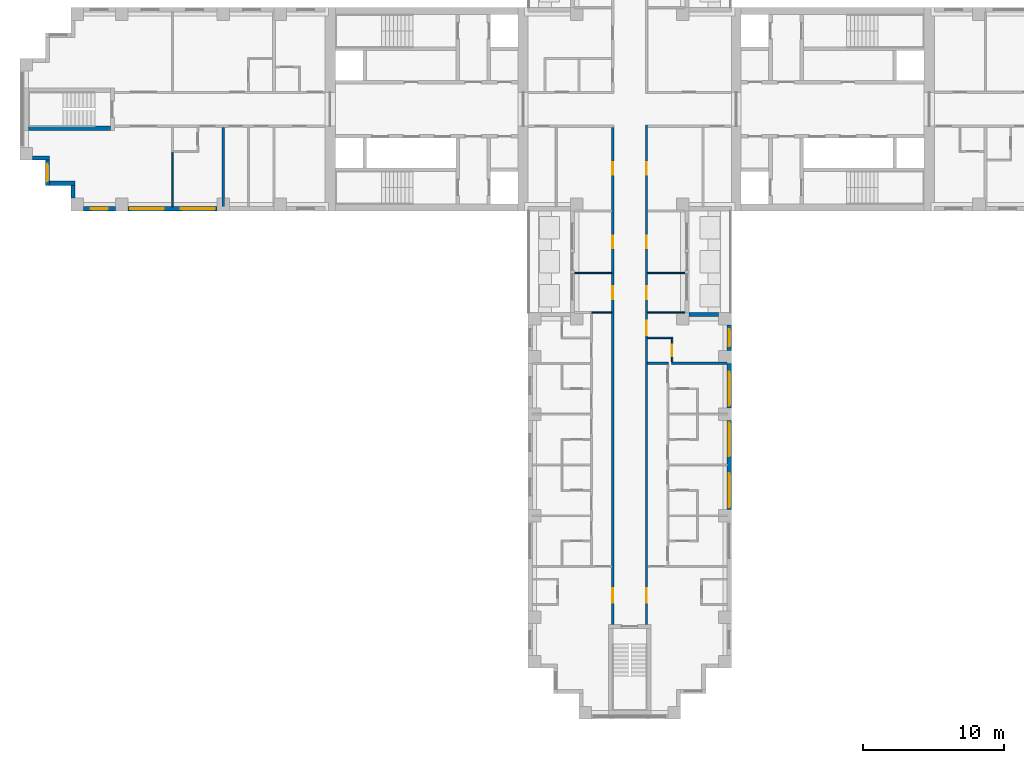
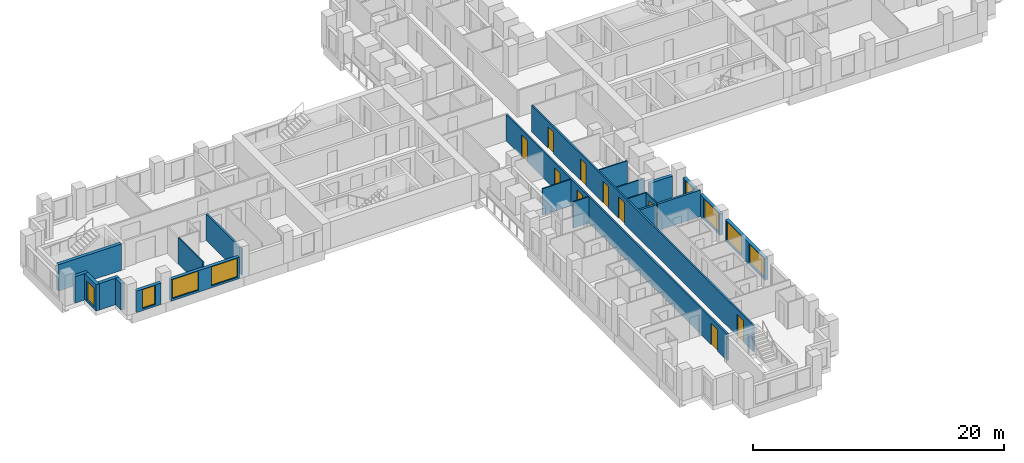
# One storey, part 5 of 14: 23 walls, 10 doors, 8 windows, 18 openings.
"""IFC4 building model written with IfcOpenShell, lengths in metres."""

from ifc_helpers import new_model, si_unit, direction, frame, frame_2d, origin, place, context, subcontext, project, spatial, rectangle, extrude, material, layer, layer_set, type_object, element, fill, save


model = new_model("IFC4")

# Units and contexts
model_context = context("Model", 3, precision=1e-05, world=origin(), true_north=direction((0.0, 1.0)))
body_context = subcontext(model_context, "Body", "Model", "MODEL_VIEW")
ifc_project = project(units=[si_unit("LENGTHUNIT", "METRE"), si_unit("AREAUNIT", "SQUARE_METRE"), si_unit("VOLUMEUNIT", "CUBIC_METRE"), si_unit("PLANEANGLEUNIT", "RADIAN"), si_unit("MASSUNIT", "GRAM", prefix="KILO")], contexts=[model_context])

# Site, building, storey
site_placement = place(None, origin())
site = spatial("IfcSite", under=ifc_project, at=site_placement, CompositionType="ELEMENT")
building_placement = place(site_placement, origin())
building = spatial("IfcBuilding", under=site, at=building_placement, Name="Fustian Cross Tower", CompositionType="ELEMENT")
storey_placement = place(building_placement, frame((0.0, 0.0, 69.89990234375)))
storey = spatial("IfcBuildingStorey", under=building, at=storey_placement, Name="L21", CompositionType="ELEMENT", Elevation=69.89990234375)

# Wall
ifc_material_1 = material(Name="Plasterboard on steel stud", Category="steel")
ifc_layer_1 = layer(ifc_material_1, 0.14990234375)
ifc_layer_set_1 = layer_set([ifc_layer_1], Name="Plasterboard on steel stud")
wall_type_1 = type_object("IfcWallType", Name="COMPARTMENT WALL 150 EI 60", PredefinedType="PARTITIONING", material=ifc_layer_set_1)
wall_1_placement = place(storey_placement, frame((-28.800048828125, -6.89990234375, 0.0), z_axis=(0.0, 0.0, 1.0), x_axis=(0.0, 1.0, 0.0)))
element("IfcWall", 1, at=wall_1_placement, inside=storey, type_object=wall_type_1, Name="Partition 8", PredefinedType="PARTITIONING", context=body_context, shape_type="SweptSolid", body=[
    extrude(rectangle(XDim=5.625, YDim=0.14990234375, at=frame_2d((2.8125, 0.0))), origin(), (0.0, 0.0, 1.0), 2.5751953125),
])

# Wall, openings, doors
wall_2_placement = place(storey_placement, frame((-1.199951171875, -36.5, 0.0), z_axis=(0.0, 0.0, 1.0), x_axis=(0.0, 1.0, 0.0)))
wall_2 = element("IfcWall", 2, at=wall_2_placement, inside=storey, type_object=wall_type_1, Name="Partition 49", PredefinedType="PARTITIONING", context=body_context, shape_type="SweptSolid", body=[
    extrude(rectangle(XDim=35.22509765625, YDim=0.14990234375, at=frame_2d((17.612548828125, 0.0))), origin(), (0.0, 0.0, 1.0), 2.5751953125),
])
opening_1_placement = place(wall_2_placement, frame((31.85009765625, 0.0, 0.0)))
opening_1 = element("IfcOpeningElement", 3, at=opening_1_placement, cuts=wall_2, Name="Opening D11007", PredefinedType="OPENING", context=body_context, shape_type="SweptSolid", body=[
    extrude(rectangle(XDim=0.89990234375, YDim=2.10009765625, at=frame_2d((0.449951171875, 1.050048828125))), frame((0.0, 0.0849609375, 0.0), z_axis=(0.0, -1.0, 0.0), x_axis=(1.0, 0.0, 0.0)), (0.0, 0.0, 1.0), 0.169921875),
])
opening_2_placement = place(wall_2_placement, frame((23.050048828125, 0.0, 0.0)))
opening_2 = element("IfcOpeningElement", 4, at=opening_2_placement, cuts=wall_2, Name="Opening D11051", PredefinedType="OPENING", context=body_context, shape_type="SweptSolid", body=[
    extrude(rectangle(XDim=0.89990234375, YDim=2.10009765625, at=frame_2d((0.449951171875, 1.050048828125))), frame((0.0, 0.0849609375, 0.0), z_axis=(0.0, -1.0, 0.0), x_axis=(1.0, 0.0, 0.0)), (0.0, 0.0, 1.0), 0.169921875),
])
opening_3_placement = place(wall_2_placement, frame((26.64990234375, 0.0, 0.0)))
opening_3 = element("IfcOpeningElement", 5, at=opening_3_placement, cuts=wall_2, Name="Opening D11052", PredefinedType="OPENING", context=body_context, shape_type="SweptSolid", body=[
    extrude(rectangle(XDim=0.89990234375, YDim=2.10009765625, at=frame_2d((0.449951171875, 1.050048828125))), frame((0.0, 0.0849609375, 0.0), z_axis=(0.0, -1.0, 0.0), x_axis=(1.0, 0.0, 0.0)), (0.0, 0.0, 1.0), 0.169921875),
])
opening_4_placement = place(wall_2_placement, frame((1.550048828125, 0.0, 0.0)))
opening_4 = element("IfcOpeningElement", 6, at=opening_4_placement, cuts=wall_2, Name="Opening D11054", PredefinedType="OPENING", context=body_context, shape_type="SweptSolid", body=[
    extrude(rectangle(XDim=1.0, YDim=2.10009765625, at=frame_2d((0.5, 1.050048828125))), frame((0.0, 0.0849609375, 0.0), z_axis=(0.0, -1.0, 0.0), x_axis=(1.0, 0.0, 0.0)), (0.0, 0.0, 1.0), 0.169921875),
])
ifc_material_2 = material(Name="Timber fire door set", Category="wood")
door_type_1 = type_object("IfcDoorType", Name="FIRE SWING DOOR 1000 FD30S", OperationType="SINGLE_SWING_LEFT", PredefinedType="DOOR", material=ifc_material_2)
door_1_placement = place(opening_4_placement, origin())
door_1 = element("IfcDoor", 7, at=door_1_placement, inside=storey, type_object=door_type_1, Name="Door D11054", OperationType="SINGLE_SWING_RIGHT", OverallHeight=2.10009765625, OverallWidth=1.0, PredefinedType="DOOR", context=body_context, shape_type="SweptSolid", body=[
    extrude(rectangle(XDim=1.0, YDim=2.10009765625, at=frame_2d((0.5, 1.050048828125))), frame((0.0, 0.02490234375, 0.0), z_axis=(0.0, -1.0, 0.0), x_axis=(1.0, 0.0, 0.0)), (0.0, 0.0, 1.0), 0.050048828125),
])
fill(opening_4, door_1)
ifc_material_3 = material(Name="Timber fire door set", Category="wood")
door_type_2 = type_object("IfcDoorType", Name="FIRE SWING DOOR 900 FD30S", OperationType="SINGLE_SWING_LEFT", PredefinedType="DOOR", material=ifc_material_3)
door_2_placement = place(opening_1_placement, origin())
door_2 = element("IfcDoor", 8, at=door_2_placement, inside=storey, type_object=door_type_2, Name="Door D11007", OperationType="SINGLE_SWING_LEFT", OverallHeight=2.10009765625, OverallWidth=0.89990234375, PredefinedType="DOOR", context=body_context, shape_type="SweptSolid", body=[
    extrude(rectangle(XDim=0.89990234375, YDim=2.10009765625, at=frame_2d((0.449951171875, 1.050048828125))), frame((0.0, 0.02490234375, 0.0), z_axis=(0.0, -1.0, 0.0), x_axis=(1.0, 0.0, 0.0)), (0.0, 0.0, 1.0), 0.050048828125),
])
fill(opening_1, door_2)
door_3_placement = place(opening_2_placement, origin())
door_3 = element("IfcDoor", 9, at=door_3_placement, inside=storey, type_object=door_type_2, Name="Door D11051", OperationType="SINGLE_SWING_LEFT", OverallHeight=2.10009765625, OverallWidth=0.89990234375, PredefinedType="DOOR", context=body_context, shape_type="SweptSolid", body=[
    extrude(rectangle(XDim=0.89990234375, YDim=2.10009765625, at=frame_2d((0.449951171875, 1.050048828125))), frame((0.0, 0.02490234375, 0.0), z_axis=(0.0, -1.0, 0.0), x_axis=(1.0, 0.0, 0.0)), (0.0, 0.0, 1.0), 0.050048828125),
])
fill(opening_2, door_3)
door_4_placement = place(opening_3_placement, origin())
door_4 = element("IfcDoor", 10, at=door_4_placement, inside=storey, type_object=door_type_2, Name="Door D11052", OperationType="SINGLE_SWING_LEFT", OverallHeight=2.10009765625, OverallWidth=0.89990234375, PredefinedType="DOOR", context=body_context, shape_type="SweptSolid", body=[
    extrude(rectangle(XDim=0.89990234375, YDim=2.10009765625, at=frame_2d((0.449951171875, 1.050048828125))), frame((0.0, 0.02490234375, 0.0), z_axis=(0.0, -1.0, 0.0), x_axis=(1.0, 0.0, 0.0)), (0.0, 0.0, 1.0), 0.050048828125),
])
fill(opening_3, door_4)

wall_3_placement = place(storey_placement, frame((1.199951171875, -36.5, 0.0), z_axis=(0.0, 0.0, 1.0), x_axis=(0.0, 1.0, 0.0)))
wall_3 = element("IfcWall", 11, at=wall_3_placement, inside=storey, type_object=wall_type_1, Name="Partition 52", PredefinedType="PARTITIONING", context=body_context, shape_type="SweptSolid", body=[
    extrude(rectangle(XDim=35.375, YDim=0.14990234375, at=frame_2d((17.6875, 0.0))), origin(), (0.0, 0.0, 1.0), 2.5751953125),
])
opening_5_placement = place(wall_3_placement, frame((31.85009765625, 0.0, 0.0)))
opening_5 = element("IfcOpeningElement", 12, at=opening_5_placement, cuts=wall_3, Name="Opening D11005", PredefinedType="OPENING", context=body_context, shape_type="SweptSolid", body=[
    extrude(rectangle(XDim=0.89990234375, YDim=2.10009765625, at=frame_2d((0.449951171875, 1.050048828125))), frame((0.0, 0.0849609375, 0.0), z_axis=(0.0, -1.0, 0.0), x_axis=(1.0, 0.0, 0.0)), (0.0, 0.0, 1.0), 0.169921875),
])
opening_6_placement = place(wall_3_placement, frame((23.050048828125, 0.0, 0.0)))
opening_6 = element("IfcOpeningElement", 13, at=opening_6_placement, cuts=wall_3, Name="Opening D11036", PredefinedType="OPENING", context=body_context, shape_type="SweptSolid", body=[
    extrude(rectangle(XDim=0.89990234375, YDim=2.10009765625, at=frame_2d((0.449951171875, 1.050048828125))), frame((0.0, 0.0849609375, 0.0), z_axis=(0.0, -1.0, 0.0), x_axis=(1.0, 0.0, 0.0)), (0.0, 0.0, 1.0), 0.169921875),
])
opening_7_placement = place(wall_3_placement, frame((26.64990234375, 0.0, 0.0)))
opening_7 = element("IfcOpeningElement", 14, at=opening_7_placement, cuts=wall_3, Name="Opening D11037", PredefinedType="OPENING", context=body_context, shape_type="SweptSolid", body=[
    extrude(rectangle(XDim=0.89990234375, YDim=2.10009765625, at=frame_2d((0.449951171875, 1.050048828125))), frame((0.0, 0.0849609375, 0.0), z_axis=(0.0, -1.0, 0.0), x_axis=(1.0, 0.0, 0.0)), (0.0, 0.0, 1.0), 0.169921875),
])
opening_8_placement = place(wall_3_placement, frame((20.5, 0.0, 0.0)))
opening_8 = element("IfcOpeningElement", 15, at=opening_8_placement, cuts=wall_3, Name="Opening D11039", PredefinedType="OPENING", context=body_context, shape_type="SweptSolid", body=[
    extrude(rectangle(XDim=1.0, YDim=2.10009765625, at=frame_2d((0.5, 1.050048828125))), frame((0.0, 0.0849609375, 0.0), z_axis=(0.0, -1.0, 0.0), x_axis=(1.0, 0.0, 0.0)), (0.0, 0.0, 1.0), 0.169921875),
])
opening_9_placement = place(wall_3_placement, frame((1.550048828125, 0.0, 0.0)))
opening_9 = element("IfcOpeningElement", 16, at=opening_9_placement, cuts=wall_3, Name="Opening D11041", PredefinedType="OPENING", context=body_context, shape_type="SweptSolid", body=[
    extrude(rectangle(XDim=1.0, YDim=2.10009765625, at=frame_2d((0.5, 1.050048828125))), frame((0.0, 0.0849609375, 0.0), z_axis=(0.0, -1.0, 0.0), x_axis=(1.0, 0.0, 0.0)), (0.0, 0.0, 1.0), 0.169921875),
])
door_5_placement = place(opening_8_placement, frame((1.0, 0.0, 0.0), z_axis=(0.0, 0.0, 1.0), x_axis=(-1.0, 0.0, 0.0)))
door_5 = element("IfcDoor", 17, at=door_5_placement, inside=storey, type_object=door_type_1, Name="Door D11039", OperationType="SINGLE_SWING_RIGHT", OverallHeight=2.10009765625, OverallWidth=1.0, PredefinedType="DOOR", context=body_context, shape_type="SweptSolid", body=[
    extrude(rectangle(XDim=1.0, YDim=2.10009765625, at=frame_2d((0.5, 1.050048828125))), frame((0.0, 0.02490234375, 0.0), z_axis=(0.0, -1.0, 0.0), x_axis=(1.0, 0.0, 0.0)), (0.0, 0.0, 1.0), 0.050048828125),
])
fill(opening_8, door_5)
door_6_placement = place(opening_9_placement, frame((1.0, 0.0, 0.0), z_axis=(0.0, 0.0, 1.0), x_axis=(-1.0, 0.0, 0.0)))
door_6 = element("IfcDoor", 18, at=door_6_placement, inside=storey, type_object=door_type_1, Name="Door D11041", OperationType="SINGLE_SWING_LEFT", OverallHeight=2.10009765625, OverallWidth=1.0, PredefinedType="DOOR", context=body_context, shape_type="SweptSolid", body=[
    extrude(rectangle(XDim=1.0, YDim=2.10009765625, at=frame_2d((0.5, 1.050048828125))), frame((0.0, 0.02490234375, 0.0), z_axis=(0.0, -1.0, 0.0), x_axis=(1.0, 0.0, 0.0)), (0.0, 0.0, 1.0), 0.050048828125),
])
fill(opening_9, door_6)
door_7_placement = place(opening_5_placement, frame((0.89990234375, 0.0, 0.0), z_axis=(0.0, 0.0, 1.0), x_axis=(-1.0, 0.0, 0.0)))
door_7 = element("IfcDoor", 19, at=door_7_placement, inside=storey, type_object=door_type_2, Name="Door D11005", OperationType="SINGLE_SWING_RIGHT", OverallHeight=2.10009765625, OverallWidth=0.89990234375, PredefinedType="DOOR", context=body_context, shape_type="SweptSolid", body=[
    extrude(rectangle(XDim=0.89990234375, YDim=2.10009765625, at=frame_2d((0.449951171875, 1.050048828125))), frame((0.0, 0.02490234375, 0.0), z_axis=(0.0, -1.0, 0.0), x_axis=(1.0, 0.0, 0.0)), (0.0, 0.0, 1.0), 0.050048828125),
])
fill(opening_5, door_7)
door_8_placement = place(opening_6_placement, frame((0.89990234375, 0.0, 0.0), z_axis=(0.0, 0.0, 1.0), x_axis=(-1.0, 0.0, 0.0)))
door_8 = element("IfcDoor", 20, at=door_8_placement, inside=storey, type_object=door_type_2, Name="Door D11036", OperationType="SINGLE_SWING_RIGHT", OverallHeight=2.10009765625, OverallWidth=0.89990234375, PredefinedType="DOOR", context=body_context, shape_type="SweptSolid", body=[
    extrude(rectangle(XDim=0.89990234375, YDim=2.10009765625, at=frame_2d((0.449951171875, 1.050048828125))), frame((0.0, 0.02490234375, 0.0), z_axis=(0.0, -1.0, 0.0), x_axis=(1.0, 0.0, 0.0)), (0.0, 0.0, 1.0), 0.050048828125),
])
fill(opening_6, door_8)
door_9_placement = place(opening_7_placement, frame((0.89990234375, 0.0, 0.0), z_axis=(0.0, 0.0, 1.0), x_axis=(-1.0, 0.0, 0.0)))
door_9 = element("IfcDoor", 21, at=door_9_placement, inside=storey, type_object=door_type_2, Name="Door D11037", OperationType="SINGLE_SWING_RIGHT", OverallHeight=2.10009765625, OverallWidth=0.89990234375, PredefinedType="DOOR", context=body_context, shape_type="SweptSolid", body=[
    extrude(rectangle(XDim=0.89990234375, YDim=2.10009765625, at=frame_2d((0.449951171875, 1.050048828125))), frame((0.0, 0.02490234375, 0.0), z_axis=(0.0, -1.0, 0.0), x_axis=(1.0, 0.0, 0.0)), (0.0, 0.0, 1.0), 0.050048828125),
])
fill(opening_7, door_9)

# Walls
ifc_material_4 = material(Name="Plasterboard on steel stud", Category="steel")
ifc_layer_2 = layer(ifc_material_4, 0.10009765625)
ifc_layer_set_2 = layer_set([ifc_layer_2], Name="Plasterboard on steel stud")
wall_type_2 = type_object("IfcWallType", Name="PARTITION 100 STUD", PredefinedType="PARTITIONING", material=ifc_layer_set_2)
wall_4_placement = place(storey_placement, frame((-32.39990234375, -6.89990234375, 0.0), z_axis=(0.0, 0.0, 1.0), x_axis=(0.0, 1.0, 0.0)))
element("IfcWall", 22, at=wall_4_placement, inside=storey, type_object=wall_type_2, Name="Partition 3", PredefinedType="PARTITIONING", context=body_context, shape_type="SweptSolid", body=[
    extrude(rectangle(XDim=3.89990234375, YDim=0.10009765625, at=frame_2d((1.949951171875, 0.0))), origin(), (0.0, 0.0, 1.0), 2.5751953125),
])
wall_5_placement = place(storey_placement, frame((-3.89990234375, -11.60009765625, 0.0), z_axis=(0.0, 0.0, 1.0), x_axis=(1.0, 0.0, 0.0)))
element("IfcWall", 23, at=wall_5_placement, inside=storey, type_object=wall_type_2, Name="Partition 39", PredefinedType="PARTITIONING", context=body_context, shape_type="SweptSolid", body=[
    extrude(rectangle(XDim=2.625, YDim=0.10009765625, at=frame_2d((1.3125, 0.0))), origin(), (0.0, 0.0, 1.0), 2.5751953125),
])
wall_6_placement = place(storey_placement, frame((-2.699951171875, -14.39990234375, 0.0), z_axis=(0.0, 0.0, 1.0), x_axis=(1.0, 0.0, 0.0)))
element("IfcWall", 24, at=wall_6_placement, inside=storey, type_object=wall_type_2, Name="Partition 48", PredefinedType="PARTITIONING", context=body_context, shape_type="SweptSolid", body=[
    extrude(rectangle(XDim=1.425048828125, YDim=0.10009765625, at=frame_2d((0.71240234375, 0.0))), origin(), (0.0, 0.0, 1.0), 2.5751953125),
])
wall_7_placement = place(storey_placement, frame((1.27490234375, -16.199951171875, 0.0), z_axis=(0.0, 0.0, 1.0), x_axis=(1.0, 0.0, 0.0)))
element("IfcWall", 25, at=wall_7_placement, inside=storey, type_object=wall_type_2, Name="Partition 55", PredefinedType="PARTITIONING", context=body_context, shape_type="SweptSolid", body=[
    extrude(rectangle(XDim=1.775146484375, YDim=0.10009765625, at=frame_2d((0.8876953125, 0.0))), origin(), (0.0, 0.0, 1.0), 2.5751953125),
])
for number, where, z_axis, x_axis, name in (
    (26, (1.27490234375, -14.39990234375, 0.0), (0.0, 0.0, 1.0), (1.0, 0.0, 0.0), "Partition 56"),
    (27, (1.27490234375, -11.60009765625, 0.0), (0.0, 0.0, 1.0), (1.0, 0.0, 0.0), "Partition 57"),
):
    element("IfcWall", number, at=place(storey_placement, frame(where, z_axis=z_axis, x_axis=x_axis)), inside=storey, type_object=wall_type_2, Name=name, PredefinedType="PARTITIONING", context=body_context, shape_type="SweptSolid", body=[
        extrude(rectangle(XDim=2.625, YDim=0.10009765625, at=frame_2d((1.3125, 0.0))), origin(), (0.0, 0.0, 1.0), 2.5751953125),
    ])

# Wall, opening, door
wall_8_placement = place(storey_placement, frame((3.0, -17.89990234375, 0.0), z_axis=(0.0, 0.0, 1.0), x_axis=(0.0, 1.0, 0.0)))
wall_8 = element("IfcWall", 28, at=wall_8_placement, inside=storey, type_object=wall_type_2, Name="Partition 75", PredefinedType="PARTITIONING", context=body_context, shape_type="SweptSolid", body=[
    extrude(rectangle(XDim=1.64990234375, YDim=0.10009765625, at=frame_2d((0.824951171875, 0.0))), origin(), (0.0, 0.0, 1.0), 2.5751953125),
])
opening_10_placement = place(wall_8_placement, frame((0.39990234375, 0.0, 0.0)))
opening_10 = element("IfcOpeningElement", 29, at=opening_10_placement, cuts=wall_8, Name="Opening D11038", PredefinedType="OPENING", context=body_context, shape_type="SweptSolid", body=[
    extrude(rectangle(XDim=0.800048828125, YDim=2.10009765625, at=frame_2d((0.39990234375, 1.050048828125))), frame((0.0, 0.06005859375, 0.0), z_axis=(0.0, -1.0, 0.0), x_axis=(1.0, 0.0, 0.0)), (0.0, 0.0, 1.0), 0.1201171875),
])
ifc_material_5 = material(Name="Painted timber", Category="wood")
door_type_3 = type_object("IfcDoorType", Name="SWING DOOR 800", OperationType="SINGLE_SWING_LEFT", PredefinedType="DOOR", material=ifc_material_5)
door_10_placement = place(opening_10_placement, origin())
door_10 = element("IfcDoor", 30, at=door_10_placement, inside=storey, type_object=door_type_3, Name="Door D11038", OperationType="SINGLE_SWING_RIGHT", OverallHeight=2.10009765625, OverallWidth=0.800048828125, PredefinedType="DOOR", context=body_context, shape_type="SweptSolid", body=[
    extrude(rectangle(XDim=0.800048828125, YDim=2.10009765625, at=frame_2d((0.39990234375, 1.050048828125))), frame((0.0, 0.02490234375, 0.0), z_axis=(0.0, -1.0, 0.0), x_axis=(1.0, 0.0, 0.0)), (0.0, 0.0, 1.0), 0.050048828125),
])
fill(opening_10, door_10)

# Walls
ifc_material_6 = material(Name="Plasterboard on steel stud", Category="steel")
ifc_layer_3 = layer(ifc_material_6, 0.199951171875)
ifc_layer_set_3 = layer_set([ifc_layer_3], Name="Plasterboard on steel stud")
wall_type_3 = type_object("IfcWallType", Name="PARTY WALL 200 EI 60", PredefinedType="PARTITIONING", material=ifc_layer_set_3)
wall_9_placement = place(storey_placement, frame((1.27490234375, -18.0, 0.0), z_axis=(0.0, 0.0, 1.0), x_axis=(1.0, 0.0, 0.0)))
element("IfcWall", 31, at=wall_9_placement, inside=storey, type_object=wall_type_3, Name="Partition 54", PredefinedType="PARTITIONING", context=body_context, shape_type="SweptSolid", body=[
    extrude(rectangle(XDim=1.47509765625, YDim=0.199951171875, at=frame_2d((0.737548828125, 0.0))), origin(), (0.0, 0.0, 1.0), 2.5751953125),
])
wall_10_placement = place(storey_placement, frame((2.949951171875, -18.0, 0.0), z_axis=(0.0, 0.0, 1.0), x_axis=(1.0, 0.0, 0.0)))
element("IfcWall", 32, at=wall_10_placement, inside=storey, type_object=wall_type_3, Name="Partition 76", PredefinedType="PARTITIONING", context=body_context, shape_type="SweptSolid", body=[
    extrude(rectangle(XDim=3.949951171875, YDim=0.199951171875, at=frame_2d((1.97509765625, 0.0))), origin(), (0.0, 0.0, 1.0), 2.5751953125),
])
ifc_material_7 = material(Name="Concrete C50/60", Category="concrete")
ifc_layer_4 = layer(ifc_material_7, 0.300048828125)
ifc_layer_set_4 = layer_set([ifc_layer_4], Name="Concrete C50/60")
wall_type_4 = type_object("IfcWallType", Name="STAIR ENCLOSURE WALL 300 C50/60", PredefinedType="SHEAR", material=ifc_layer_set_4)
wall_11_placement = place(storey_placement, frame((-36.800048828125, -1.35009765625, 0.0), z_axis=(0.0, 0.0, 1.0), x_axis=(-1.0, 0.0, 0.0)))
element("IfcWall", 33, at=wall_11_placement, inside=storey, type_object=wall_type_4, Name="Stair enclosure wall", PredefinedType="SHEAR", context=body_context, shape_type="SweptSolid", body=[
    extrude(rectangle(XDim=5.800048828125, YDim=0.300048828125, at=frame_2d((2.89990234375, 0.0))), origin(), (0.0, 0.0, 1.0), 2.5751953125),
])
ifc_material_8 = material(Name="Dark aluminium cladding on insulated backing wall", Category="aluminium")
ifc_layer_5 = layer(ifc_material_8, 0.300048828125)
ifc_layer_set_5 = layer_set([ifc_layer_5], Name="Dark aluminium cladding on insulated backing wall")
wall_type_5 = type_object("IfcWallType", Name="XW1 EXTERNAL WALL 300", PredefinedType="SOLIDWALL", material=ifc_layer_set_5)
wall_12_placement = place(storey_placement, frame((-42.300048828125, -3.449951171875, 0.0), z_axis=(0.0, 0.0, 1.0), x_axis=(1.0, 0.0, 0.0)))
element("IfcWall", 34, at=wall_12_placement, inside=storey, type_object=wall_type_5, Name="External wall", PredefinedType="SOLIDWALL", context=body_context, shape_type="SweptSolid", body=[
    extrude(rectangle(XDim=1.199951171875, YDim=0.300048828125, at=frame_2d((0.60009765625, 0.0))), origin(), (0.0, 0.0, 1.0), 2.5751953125),
])

# Wall, opening, window
wall_13_placement = place(storey_placement, frame((-41.25, -3.60009765625, 0.0), z_axis=(0.0, 0.0, 1.0), x_axis=(0.0, -1.0, 0.0)))
wall_13 = element("IfcWall", 35, at=wall_13_placement, inside=storey, type_object=wall_type_5, Name="External wall", PredefinedType="SOLIDWALL", context=body_context, shape_type="SweptSolid", body=[
    extrude(rectangle(XDim=1.7998046875, YDim=0.300048828125, at=frame_2d((0.89990234375, 0.0))), origin(), (0.0, 0.0, 1.0), 2.5751953125),
])
opening_11_placement = place(wall_13_placement, frame((0.300048828125, 0.0, 0.199951171875)))
opening_11 = element("IfcOpeningElement", 36, at=opening_11_placement, cuts=wall_13, Name="Opening WN3", PredefinedType="OPENING", context=body_context, shape_type="SweptSolid", body=[
    extrude(rectangle(XDim=1.199951171875, YDim=1.85009765625, at=frame_2d((0.60009765625, 0.925048828125))), frame((0.0, 0.159912109375, 0.0), z_axis=(0.0, -1.0, 0.0), x_axis=(1.0, 0.0, 0.0)), (0.0, 0.0, 1.0), 0.320068359375),
])
ifc_material_9 = material(Name="Dark anodised aluminium and double glazing", Category="aluminium")
window_type_1 = type_object("IfcWindowType", Name="WN3 WINDOW 1200X1850", PartitioningType="SINGLE_PANEL", PredefinedType="WINDOW", material=ifc_material_9)
window_1_placement = place(opening_11_placement, origin())
window_1 = element("IfcWindow", 37, at=window_1_placement, inside=storey, type_object=window_type_1, Name="Window", OverallHeight=1.85009765625, OverallWidth=1.199951171875, PartitioningType="SINGLE_PANEL", PredefinedType="WINDOW", context=body_context, shape_type="SweptSolid", body=[
    extrude(rectangle(XDim=1.199951171875, YDim=1.85009765625, at=frame_2d((0.60009765625, 0.925048828125))), frame((0.0, 0.030029296875, 0.0), z_axis=(0.0, -1.0, 0.0), x_axis=(1.0, 0.0, 0.0)), (0.0, 0.0, 1.0), 0.06005859375),
])
fill(opening_11, window_1)

# Walls
wall_14_placement = place(storey_placement, frame((-41.10009765625, -5.25, 0.0), z_axis=(0.0, 0.0, 1.0), x_axis=(1.0, 0.0, 0.0)))
element("IfcWall", 38, at=wall_14_placement, inside=storey, type_object=wall_type_5, Name="External wall", PredefinedType="SOLIDWALL", context=body_context, shape_type="SweptSolid", body=[
    extrude(rectangle(XDim=1.800048828125, YDim=0.300048828125, at=frame_2d((0.89990234375, 0.0))), origin(), (0.0, 0.0, 1.0), 2.5751953125),
])
wall_15_placement = place(storey_placement, frame((-39.449951171875, -5.39990234375, 0.0), z_axis=(0.0, 0.0, 1.0), x_axis=(0.0, -1.0, 0.0)))
element("IfcWall", 39, at=wall_15_placement, inside=storey, type_object=wall_type_5, Name="External wall", PredefinedType="SOLIDWALL", context=body_context, shape_type="SweptSolid", body=[
    extrude(rectangle(XDim=0.900146484375, YDim=0.300048828125, at=frame_2d((0.4501953125, 0.0))), origin(), (0.0, 0.0, 1.0), 2.5751953125),
])

# Wall, opening, window
wall_16_placement = place(storey_placement, frame((-38.699951171875, -7.050048828125, 0.0), z_axis=(0.0, 0.0, 1.0), x_axis=(1.0, 0.0, 0.0)))
wall_16 = element("IfcWall", 40, at=wall_16_placement, inside=storey, type_object=wall_type_5, Name="External wall", PredefinedType="SOLIDWALL", context=body_context, shape_type="SweptSolid", body=[
    extrude(rectangle(XDim=2.25, YDim=0.300048828125, at=frame_2d((1.125, 0.0))), origin(), (0.0, 0.0, 1.0), 2.10009765625),
])
opening_12_placement = place(wall_16_placement, frame((0.52490234375, 0.0, 0.199951171875)))
opening_12 = element("IfcOpeningElement", 41, at=opening_12_placement, cuts=wall_16, Name="Opening WN3", PredefinedType="OPENING", context=body_context, shape_type="SweptSolid", body=[
    extrude(rectangle(XDim=1.199951171875, YDim=1.85009765625, at=frame_2d((0.60009765625, 0.925048828125))), frame((0.0, 0.159912109375, 0.0), z_axis=(0.0, -1.0, 0.0), x_axis=(1.0, 0.0, 0.0)), (0.0, 0.0, 1.0), 0.320068359375),
])
window_2_placement = place(opening_12_placement, origin())
window_2 = element("IfcWindow", 42, at=window_2_placement, inside=storey, type_object=window_type_1, Name="Window", OverallHeight=1.85009765625, OverallWidth=1.199951171875, PartitioningType="SINGLE_PANEL", PredefinedType="WINDOW", context=body_context, shape_type="SweptSolid", body=[
    extrude(rectangle(XDim=1.199951171875, YDim=1.85009765625, at=frame_2d((0.60009765625, 0.925048828125))), frame((0.0, 0.030029296875, 0.0), z_axis=(0.0, -1.0, 0.0), x_axis=(1.0, 0.0, 0.0)), (0.0, 0.0, 1.0), 0.06005859375),
])
fill(opening_12, window_2)

# Wall, openings, windows
wall_17_placement = place(storey_placement, frame((-35.550048828125, -7.050048828125, 0.0), z_axis=(0.0, 0.0, 1.0), x_axis=(1.0, 0.0, 0.0)))
wall_17 = element("IfcWall", 43, at=wall_17_placement, inside=storey, type_object=wall_type_5, Name="External wall", PredefinedType="SOLIDWALL", context=body_context, shape_type="SweptSolid", body=[
    extrude(rectangle(XDim=6.300048828125, YDim=0.300048828125, at=frame_2d((3.14990234375, 0.0))), origin(), (0.0, 0.0, 1.0), 2.10009765625),
])
opening_13_placement = place(wall_17_placement, frame((0.14990234375, 0.0, 0.199951171875)))
opening_13 = element("IfcOpeningElement", 44, at=opening_13_placement, cuts=wall_17, Name="Opening WN1", PredefinedType="OPENING", context=body_context, shape_type="SweptSolid", body=[
    extrude(rectangle(XDim=2.39990234375, YDim=1.85009765625, at=frame_2d((1.199951171875, 0.925048828125))), frame((0.0, 0.159912109375, 0.0), z_axis=(0.0, -1.0, 0.0), x_axis=(1.0, 0.0, 0.0)), (0.0, 0.0, 1.0), 0.320068359375),
])
opening_14_placement = place(wall_17_placement, frame((3.75, 0.0, 0.199951171875)))
opening_14 = element("IfcOpeningElement", 45, at=opening_14_placement, cuts=wall_17, Name="Opening WN1", PredefinedType="OPENING", context=body_context, shape_type="SweptSolid", body=[
    extrude(rectangle(XDim=2.39990234375, YDim=1.85009765625, at=frame_2d((1.199951171875, 0.925048828125))), frame((0.0, 0.159912109375, 0.0), z_axis=(0.0, -1.0, 0.0), x_axis=(1.0, 0.0, 0.0)), (0.0, 0.0, 1.0), 0.320068359375),
])
ifc_material_10 = material(Name="Dark anodised aluminium and double glazing", Category="aluminium")
window_type_2 = type_object("IfcWindowType", Name="WN1 WINDOW 2400X1850", PartitioningType="SINGLE_PANEL", PredefinedType="WINDOW", material=ifc_material_10)
window_3_placement = place(opening_13_placement, origin())
window_3 = element("IfcWindow", 46, at=window_3_placement, inside=storey, type_object=window_type_2, Name="Window", OverallHeight=1.85009765625, OverallWidth=2.39990234375, PartitioningType="SINGLE_PANEL", PredefinedType="WINDOW", context=body_context, shape_type="SweptSolid", body=[
    extrude(rectangle(XDim=2.39990234375, YDim=1.85009765625, at=frame_2d((1.199951171875, 0.925048828125))), frame((0.0, 0.030029296875, 0.0), z_axis=(0.0, -1.0, 0.0), x_axis=(1.0, 0.0, 0.0)), (0.0, 0.0, 1.0), 0.06005859375),
])
fill(opening_13, window_3)
window_4_placement = place(opening_14_placement, origin())
window_4 = element("IfcWindow", 47, at=window_4_placement, inside=storey, type_object=window_type_2, Name="Window", OverallHeight=1.85009765625, OverallWidth=2.39990234375, PartitioningType="SINGLE_PANEL", PredefinedType="WINDOW", context=body_context, shape_type="SweptSolid", body=[
    extrude(rectangle(XDim=2.39990234375, YDim=1.85009765625, at=frame_2d((1.199951171875, 0.925048828125))), frame((0.0, 0.030029296875, 0.0), z_axis=(0.0, -1.0, 0.0), x_axis=(1.0, 0.0, 0.0)), (0.0, 0.0, 1.0), 0.06005859375),
])
fill(opening_14, window_4)

wall_18_placement = place(storey_placement, frame((7.050048828125, -28.35009765625, 0.0), z_axis=(0.0, 0.0, 1.0), x_axis=(0.0, 1.0, 0.0)))
wall_18 = element("IfcWall", 48, at=wall_18_placement, inside=storey, type_object=wall_type_5, Name="External wall", PredefinedType="SOLIDWALL", context=body_context, shape_type="SweptSolid", body=[
    extrude(rectangle(XDim=6.300048828125, YDim=0.300048828125, at=frame_2d((3.14990234375, 0.0))), origin(), (0.0, 0.0, 1.0), 2.10009765625),
])
opening_15_placement = place(wall_18_placement, frame((0.14990234375, 0.0, 0.199951171875)))
opening_15 = element("IfcOpeningElement", 49, at=opening_15_placement, cuts=wall_18, Name="Opening WN1", PredefinedType="OPENING", context=body_context, shape_type="SweptSolid", body=[
    extrude(rectangle(XDim=2.39990234375, YDim=1.85009765625, at=frame_2d((1.199951171875, 0.925048828125))), frame((0.0, 0.159912109375, 0.0), z_axis=(0.0, -1.0, 0.0), x_axis=(1.0, 0.0, 0.0)), (0.0, 0.0, 1.0), 0.320068359375),
])
opening_16_placement = place(wall_18_placement, frame((3.75, 0.0, 0.199951171875)))
opening_16 = element("IfcOpeningElement", 50, at=opening_16_placement, cuts=wall_18, Name="Opening WN1", PredefinedType="OPENING", context=body_context, shape_type="SweptSolid", body=[
    extrude(rectangle(XDim=2.39990234375, YDim=1.85009765625, at=frame_2d((1.199951171875, 0.925048828125))), frame((0.0, 0.159912109375, 0.0), z_axis=(0.0, -1.0, 0.0), x_axis=(1.0, 0.0, 0.0)), (0.0, 0.0, 1.0), 0.320068359375),
])
window_5_placement = place(opening_15_placement, origin())
window_5 = element("IfcWindow", 51, at=window_5_placement, inside=storey, type_object=window_type_2, Name="Window", OverallHeight=1.85009765625, OverallWidth=2.39990234375, PartitioningType="SINGLE_PANEL", PredefinedType="WINDOW", context=body_context, shape_type="SweptSolid", body=[
    extrude(rectangle(XDim=2.39990234375, YDim=1.85009765625, at=frame_2d((1.199951171875, 0.925048828125))), frame((0.0, 0.030029296875, 0.0), z_axis=(0.0, -1.0, 0.0), x_axis=(1.0, 0.0, 0.0)), (0.0, 0.0, 1.0), 0.06005859375),
])
fill(opening_15, window_5)
window_6_placement = place(opening_16_placement, origin())
window_6 = element("IfcWindow", 52, at=window_6_placement, inside=storey, type_object=window_type_2, Name="Window", OverallHeight=1.85009765625, OverallWidth=2.39990234375, PartitioningType="SINGLE_PANEL", PredefinedType="WINDOW", context=body_context, shape_type="SweptSolid", body=[
    extrude(rectangle(XDim=2.39990234375, YDim=1.85009765625, at=frame_2d((1.199951171875, 0.925048828125))), frame((0.0, 0.030029296875, 0.0), z_axis=(0.0, -1.0, 0.0), x_axis=(1.0, 0.0, 0.0)), (0.0, 0.0, 1.0), 0.06005859375),
])
fill(opening_16, window_6)

# Wall, opening, window
wall_19_placement = place(storey_placement, frame((7.050048828125, -21.14990234375, 0.0), z_axis=(0.0, 0.0, 1.0), x_axis=(0.0, 1.0, 0.0)))
wall_19 = element("IfcWall", 53, at=wall_19_placement, inside=storey, type_object=wall_type_5, Name="External wall", PredefinedType="SOLIDWALL", context=body_context, shape_type="SweptSolid", body=[
    extrude(rectangle(XDim=3.14990234375, YDim=0.300048828125, at=frame_2d((1.574951171875, 0.0))), origin(), (0.0, 0.0, 1.0), 2.10009765625),
])
opening_17_placement = place(wall_19_placement, frame((0.14990234375, 0.0, 0.199951171875)))
opening_17 = element("IfcOpeningElement", 54, at=opening_17_placement, cuts=wall_19, Name="Opening WN1", PredefinedType="OPENING", context=body_context, shape_type="SweptSolid", body=[
    extrude(rectangle(XDim=2.39990234375, YDim=1.85009765625, at=frame_2d((1.199951171875, 0.925048828125))), frame((0.0, 0.159912109375, 0.0), z_axis=(0.0, -1.0, 0.0), x_axis=(1.0, 0.0, 0.0)), (0.0, 0.0, 1.0), 0.320068359375),
])
window_7_placement = place(opening_17_placement, origin())
window_7 = element("IfcWindow", 55, at=window_7_placement, inside=storey, type_object=window_type_2, Name="Window", OverallHeight=1.85009765625, OverallWidth=2.39990234375, PartitioningType="SINGLE_PANEL", PredefinedType="WINDOW", context=body_context, shape_type="SweptSolid", body=[
    extrude(rectangle(XDim=2.39990234375, YDim=1.85009765625, at=frame_2d((1.199951171875, 0.925048828125))), frame((0.0, 0.030029296875, 0.0), z_axis=(0.0, -1.0, 0.0), x_axis=(1.0, 0.0, 0.0)), (0.0, 0.0, 1.0), 0.06005859375),
])
fill(opening_17, window_7)

wall_20_placement = place(storey_placement, frame((7.050048828125, -17.10009765625, 0.0), z_axis=(0.0, 0.0, 1.0), x_axis=(0.0, 1.0, 0.0)))
wall_20 = element("IfcWall", 56, at=wall_20_placement, inside=storey, type_object=wall_type_5, Name="External wall", PredefinedType="SOLIDWALL", context=body_context, shape_type="SweptSolid", body=[
    extrude(rectangle(XDim=1.800048828125, YDim=0.300048828125, at=frame_2d((0.89990234375, 0.0))), origin(), (0.0, 0.0, 1.0), 2.10009765625),
])
opening_18_placement = place(wall_20_placement, frame((0.300048828125, 0.0, 0.199951171875)))
opening_18 = element("IfcOpeningElement", 57, at=opening_18_placement, cuts=wall_20, Name="Opening WN3", PredefinedType="OPENING", context=body_context, shape_type="SweptSolid", body=[
    extrude(rectangle(XDim=1.199951171875, YDim=1.85009765625, at=frame_2d((0.60009765625, 0.925048828125))), frame((0.0, 0.159912109375, 0.0), z_axis=(0.0, -1.0, 0.0), x_axis=(1.0, 0.0, 0.0)), (0.0, 0.0, 1.0), 0.320068359375),
])
window_8_placement = place(opening_18_placement, origin())
window_8 = element("IfcWindow", 58, at=window_8_placement, inside=storey, type_object=window_type_1, Name="Window", OverallHeight=1.85009765625, OverallWidth=1.199951171875, PartitioningType="SINGLE_PANEL", PredefinedType="WINDOW", context=body_context, shape_type="SweptSolid", body=[
    extrude(rectangle(XDim=1.199951171875, YDim=1.85009765625, at=frame_2d((0.60009765625, 0.925048828125))), frame((0.0, 0.030029296875, 0.0), z_axis=(0.0, -1.0, 0.0), x_axis=(1.0, 0.0, 0.0)), (0.0, 0.0, 1.0), 0.06005859375),
])
fill(opening_18, window_8)

# Wall
wall_21_placement = place(storey_placement, frame((6.300048828125, -14.550048828125, 0.0), z_axis=(0.0, 0.0, 1.0), x_axis=(-1.0, 0.0, 0.0)))
element("IfcWall", 59, at=wall_21_placement, inside=storey, type_object=wall_type_5, Name="External wall", PredefinedType="SOLIDWALL", context=body_context, shape_type="SweptSolid", body=[
    extrude(rectangle(XDim=2.10009765625, YDim=0.300048828125, at=frame_2d((1.050048828125, 0.0))), origin(), (0.0, 0.0, 1.0), 2.10009765625),
])

save(model, "model.ifc")
